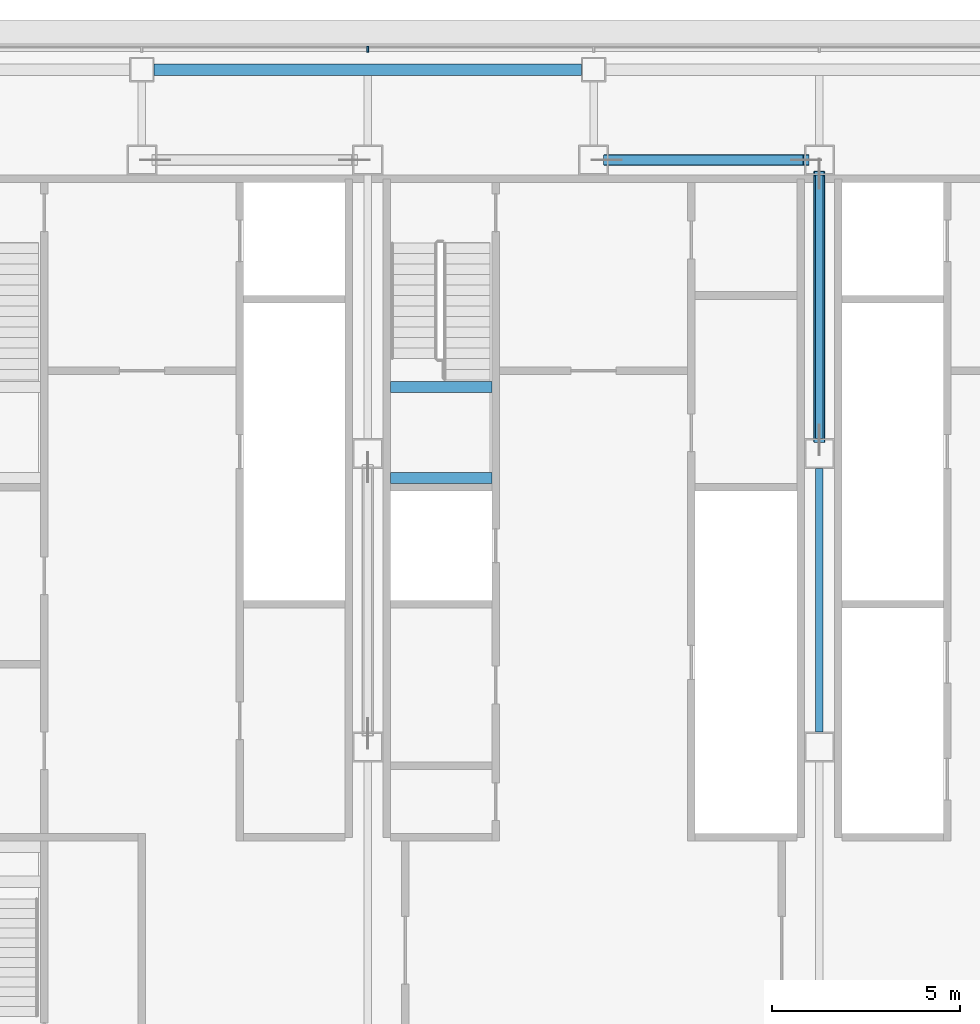
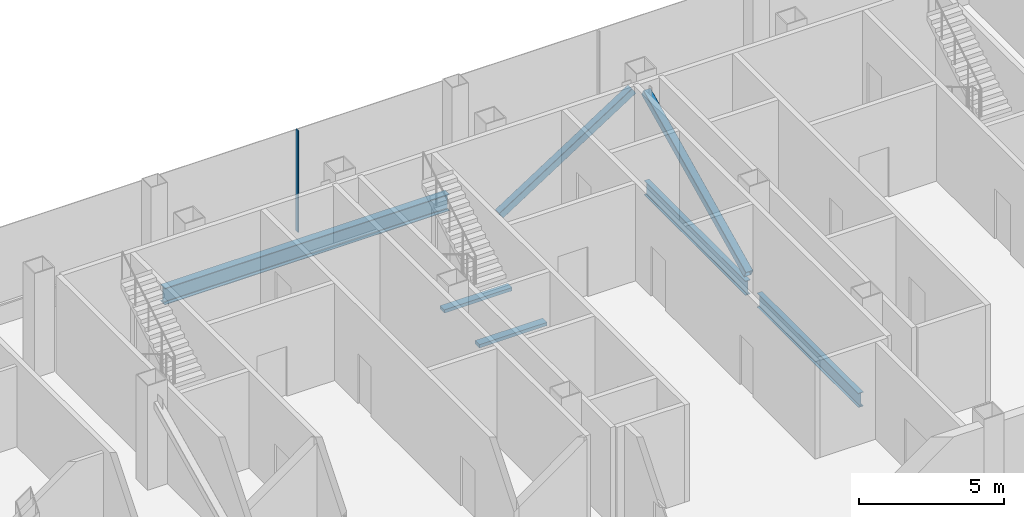
# One storey, part 14 of 30: 5 beams, 3 members, 1 element without a shape of its own.
"""IFC4 building model written with IfcOpenShell, lengths in metres."""

import ifcopenshell
import ifcopenshell.guid

model = None  # the IFC model being written
_history = None  # IfcOwnerHistory: only IFC2X3 demands one
_inside = {}  # id of a spatial element -> (the spatial element, [elements in it])
_under = {}  # id of a project, library or spatial element -> (it, [spatial elements below it])
_declared = {}  # id of a project -> (the project, [libraries it declares])
_typed = {}  # id of a type object -> (the type object, [elements of that type])
_made_of = {}  # id of a material, layer set ... -> (it, [elements and type objects made of it])


def new_model(schema):
    """Start an empty IFC model of exactly this schema.

    Asked for "IFC4X3", IfcOpenShell would pick the latest addendum, in which some entities
    have other attributes; the version numbers below select the first issue.
    IFC2X3 requires an IfcOwnerHistory on every rooted entity: one is made here for all.
    """
    global model, _history
    if schema == "IFC4X3":
        model = ifcopenshell.file(schema_version=(4, 3, 0, 0))
    else:
        model = ifcopenshell.file(schema=schema)
    _inside.clear()
    _under.clear()
    _declared.clear()
    _typed.clear()
    _made_of.clear()
    _history = None
    if model.schema == "IFC2X3":
        org = make("IfcOrganization", Name="unknown")
        user = make(
            "IfcPersonAndOrganization",
            ThePerson=make("IfcPerson", FamilyName="unknown"),
            TheOrganization=org,
        )
        app = make(
            "IfcApplication",
            ApplicationDeveloper=org,
            Version="unknown",
            ApplicationFullName="unknown",
            ApplicationIdentifier="unknown",
        )
        _history = make(
            "IfcOwnerHistory",
            OwningUser=user,
            OwningApplication=app,
            ChangeAction="ADDED",
            CreationDate=0,
        )
    return model


def make(cls, **values):
    """One entity of the class cls with the attributes given. An attribute that is None is left unset."""
    return model.create_entity(
        cls, **{name: value for name, value in values.items() if value is not None}
    )


def rooted(cls, **values):
    """An entity with a GlobalId (a new one), such as an element, a storey or a relation."""
    return make(cls, GlobalId=ifcopenshell.guid.new(), OwnerHistory=_history, **values)


def si_unit(unit_type, name, prefix=None):
    """IfcSIUnit, for example si_unit("LENGTHUNIT", "METRE", prefix="MILLI")."""
    return make("IfcSIUnit", UnitType=unit_type, Prefix=prefix, Name=name)


def assignment(units):
    """IfcUnitAssignment: the units of a project."""
    return None if units is None else make("IfcUnitAssignment", Units=units)


def point(xyz):
    """IfcCartesianPoint."""
    return None if xyz is None else make("IfcCartesianPoint", Coordinates=xyz)


def direction(xyz):
    """IfcDirection."""
    return None if xyz is None else make("IfcDirection", DirectionRatios=xyz)


def frame(location, z_axis=None, x_axis=None):
    """IfcAxis2Placement3D, a coordinate frame: its origin and axes. An axis left out is left unset."""
    return make(
        "IfcAxis2Placement3D",
        Location=point(location),
        Axis=direction(z_axis),
        RefDirection=direction(x_axis),
    )


def frame_2d(location, x_axis=None):
    """IfcAxis2Placement2D, a coordinate frame in the plane: its origin and x axis."""
    return make(
        "IfcAxis2Placement2D", Location=point(location), RefDirection=direction(x_axis)
    )


def origin():
    """The frame at (0, 0, 0) with its axes left unset."""
    return frame((0.0, 0.0, 0.0))


def origin_2d():
    """The frame at (0, 0) in the plane with its x axis left unset."""
    return frame_2d((0.0, 0.0))


def place(relative_to, where):
    """IfcLocalPlacement: puts the frame where relative to a parent placement (None: the world)."""
    return make(
        "IfcLocalPlacement", PlacementRelTo=relative_to, RelativePlacement=where
    )


def context(
    kind, dimensions, precision=None, world=None, true_north=None, identifier=None
):
    """IfcGeometricRepresentationContext, for example the 3D "Model" context."""
    return make(
        "IfcGeometricRepresentationContext",
        ContextIdentifier=identifier,
        ContextType=kind,
        CoordinateSpaceDimension=dimensions,
        Precision=precision,
        WorldCoordinateSystem=world,
        TrueNorth=true_north,
    )


def subcontext(parent, identifier, kind, view, scale=None):
    """IfcGeometricRepresentationSubContext, for example "Body" below "Model"."""
    return make(
        "IfcGeometricRepresentationSubContext",
        ContextIdentifier=identifier,
        ContextType=kind,
        ParentContext=parent,
        TargetScale=scale,
        TargetView=view,
    )


def project(units=None, contexts=None):
    """IfcProject with its units and contexts."""
    return rooted(
        "IfcProject",
        Name="project",
        RepresentationContexts=contexts,
        UnitsInContext=assignment(units),
    )


def spatial(cls, under=None, at=None, **own):
    """A site, building, storey or space (cls), placed at a placement, below another one or the project."""
    s = rooted(cls, ObjectPlacement=at, **own)
    if under is not None:
        _under.setdefault(under.id(), (under, []))[1].append(s)
    return s


def profile(cls, at=None, kind="AREA", **sizes):
    """A parametric profile (cls). Its sizes go by their IFC names, for example OverallWidth=200.0."""
    return make(cls, ProfileType=kind, Position=at, **sizes)


def rectangle(**sizes):
    """IfcRectangleProfileDef."""
    return profile("IfcRectangleProfileDef", **sizes)


def hollow_rectangle(**sizes):
    """IfcRectangleHollowProfileDef."""
    return profile("IfcRectangleHollowProfileDef", **sizes)


def i_section(**sizes):
    """IfcIShapeProfileDef."""
    return profile("IfcIShapeProfileDef", **sizes)


def extrude(swept, where, along, depth):
    """IfcExtrudedAreaSolid: the profile swept, set in the frame where, extruded along a direction by depth."""
    return make(
        "IfcExtrudedAreaSolid",
        SweptArea=swept,
        Position=where,
        ExtrudedDirection=direction(along),
        Depth=depth,
    )


def shape(context_of_items, identifier, shape_type, items):
    """IfcShapeRepresentation: the items that make up one representation, for example the "Body"."""
    return make(
        "IfcShapeRepresentation",
        ContextOfItems=context_of_items,
        RepresentationIdentifier=identifier,
        RepresentationType=shape_type,
        Items=items,
    )


def material(Name=None, Category=None):
    """IfcMaterial."""
    return make("IfcMaterial", Name=Name, Category=Category)


def material_profile(
    of_material, cross_section, Name=None, Category=None, Priority=None
):
    """IfcMaterialProfile: a cross section and its material."""
    return make(
        "IfcMaterialProfile",
        Name=Name,
        Material=of_material,
        Profile=cross_section,
        Priority=Priority,
        Category=Category,
    )


def profile_set(profiles, Name=None, composite=None):
    """IfcMaterialProfileSet."""
    return make(
        "IfcMaterialProfileSet",
        Name=Name,
        MaterialProfiles=profiles,
        CompositeProfile=composite,
    )


def made_of(thing, what):
    """Note that an element or type object is made of a material, layer set ...; save() writes the relation."""
    if what is not None:
        _made_of.setdefault(what.id(), (what, []))[1].append(thing)
    return thing


def type_object(cls, material=None, **own):
    """A type object (cls), such as IfcWallType, which elements share."""
    return made_of(rooted(cls, **own), material)


def element(
    cls,
    number,
    at=None,
    inside=None,
    cuts=None,
    type_object=None,
    material=None,
    context=None,
    identifier="Body",
    shape_type=None,
    held_by="IfcProductDefinitionShape",
    body=None,
    shapes=None,
    **own,
):
    """One element of the class cls, such as IfcWall. Its Tag is "e" and its number.

    at: its placement. inside: the storey or other place that contains it. cuts: it is an
    opening in that element (IfcRelVoidsElement). A single representation is given by context,
    identifier, shape_type and body (its items); several are given by shapes. held_by: the class
    of the entity that holds the representations. save() writes the other relations.
    """
    e = rooted(cls, Tag="e%d" % number, ObjectPlacement=at, **own)
    if body is not None:
        shapes = [shape(context, identifier, shape_type, body)]
    if shapes is not None:
        e.Representation = make(held_by, Representations=shapes)
    if inside is not None:
        _inside.setdefault(inside.id(), (inside, []))[1].append(e)
    if cuts is not None:
        rooted(
            "IfcRelVoidsElement", RelatingBuildingElement=cuts, RelatedOpeningElement=e
        )
    if type_object is not None:
        _typed.setdefault(type_object.id(), (type_object, []))[1].append(e)
    return made_of(e, material)


def aggregate(whole, parts):
    """IfcRelAggregates: a whole, such as a stair, and the parts it consists of."""
    return rooted("IfcRelAggregates", RelatingObject=whole, RelatedObjects=parts)


def save(model, path):
    """Write the relations noted so far, then the file.

    IfcRelAggregates (storeys below a building ...), IfcRelContainedInSpatialStructure (elements
    in a storey), IfcRelDefinesByType, IfcRelAssociatesMaterial and IfcRelDeclares: one each for
    every whole, place, type object, material and project.
    """
    for whole, parts in _under.values():
        aggregate(whole, parts)
    for where, things in _inside.values():
        rooted(
            "IfcRelContainedInSpatialStructure",
            RelatedElements=things,
            RelatingStructure=where,
        )
    for kind, things in _typed.values():
        rooted("IfcRelDefinesByType", RelatedObjects=things, RelatingType=kind)
    for what, things in _made_of.values():
        rooted("IfcRelAssociatesMaterial", RelatedObjects=things, RelatingMaterial=what)
    for by, libraries in _declared.values():
        rooted("IfcRelDeclares", RelatingContext=by, RelatedDefinitions=libraries)
    model.write(path)


model = new_model("IFC4")

# Units and contexts
model_context = context("Model", 3, precision=1e-05, world=origin(), true_north=direction((0.0, 1.0)))
body_context = subcontext(model_context, "Body", "Model", "MODEL_VIEW")
ifc_project = project(units=[si_unit("LENGTHUNIT", "METRE"), si_unit("AREAUNIT", "SQUARE_METRE"), si_unit("VOLUMEUNIT", "CUBIC_METRE"), si_unit("PLANEANGLEUNIT", "RADIAN"), si_unit("MASSUNIT", "GRAM", prefix="KILO")], contexts=[model_context])

# Site, building, storey
site_placement = place(None, origin())
site = spatial("IfcSite", under=ifc_project, at=site_placement, CompositionType="ELEMENT")
building_placement = place(site_placement, origin())
building = spatial("IfcBuilding", under=site, at=building_placement, Name="Sorahane Residences", CompositionType="ELEMENT")
storey_placement = place(building_placement, frame((0.0, 0.0, 229.800048828125)))
storey = spatial("IfcBuildingStorey", under=building, at=storey_placement, Name="L54", CompositionType="ELEMENT", Elevation=229.800048828125)

# Members
ifc_material_1 = material(Name="Steel Q355B", Category="steel")
ifc_material_profile_1 = material_profile(ifc_material_1, hollow_rectangle(XDim=0.300048828125, YDim=0.300048828125, WallThickness=0.01611328125, InnerFilletRadius=0.008056640625, OuterFilletRadius=0.02392578125, at=origin_2d()), Name="RHS 300x300x16")
ifc_profile_set_1 = profile_set([ifc_material_profile_1], Name="Steel Q355B")
member_type_1 = type_object("IfcMemberType", Name="Core brace RHS 300x300x16 Q355B", PredefinedType="BRACE", material=ifc_profile_set_1)
member_1_placement = place(storey_placement, frame((24.351318359375, 45.60009765625, 0.11865234375), z_axis=(0.840661975087, 0.0, 0.541560193924), x_axis=(0.0, 1.0, 0.0)))
element("IfcMember", 1, at=member_1_placement, inside=storey, type_object=member_type_1, Name="Core brace L54 y45.6-4", PredefinedType="BRACE", context=body_context, shape_type="SweptSolid", body=[
    extrude(hollow_rectangle(XDim=0.300048828125, YDim=0.300048828125, WallThickness=0.01611328125, InnerFilletRadius=0.008056640625, OuterFilletRadius=0.02392578125, at=origin_2d()), origin(), (0.0, 0.0, 1.0), 6.301513671875),
])
member_2_placement = place(storey_placement, frame((30.0, 38.1611328125, 0.13134765625), z_axis=(0.0, 0.902022560554, 0.431688892898), x_axis=(-1.0, 0.0, 0.0)))
element("IfcMember", 2, at=member_2_placement, inside=storey, type_object=member_type_1, Name="Core brace L54 x30-2", PredefinedType="BRACE", context=body_context, shape_type="SweptSolid", body=[
    extrude(hollow_rectangle(XDim=0.300048828125, YDim=0.300048828125, WallThickness=0.01611328125, InnerFilletRadius=0.008056640625, OuterFilletRadius=0.02392578125, at=origin_2d()), origin(), (0.0, 0.0, 1.0), 7.846435546875),
])

# Curtain wall, member
ifc_material_2 = material(Name="Dark low-e glass and black anodised aluminium", Category="aluminium")
curtain_wall_type = type_object("IfcCurtainWallType", Name="Curtain wall CW-1 Typical unitised wall", PredefinedType="NOTDEFINED", material=ifc_material_2)
curtain_wall_placement = place(storey_placement, origin())
curtain_wall = element("IfcCurtainWall", 3, at=curtain_wall_placement, inside=storey, type_object=curtain_wall_type, Name="CW-1 curtain wall L54 N2", PredefinedType="NOTDEFINED")
ifc_material_3 = material(Name="Black anodised aluminium", Category="aluminium")
ifc_material_profile_2 = material_profile(ifc_material_3, rectangle(XDim=0.159912109375, YDim=0.050048828125, at=origin_2d()), Name="Curtain wall mullion CW-1 black anodised aluminium 50x160")
ifc_profile_set_2 = profile_set([ifc_material_profile_2], Name="Black anodised aluminium")
member_type_2 = type_object("IfcMemberType", Name="Curtain wall mullion CW-1 black anodised aluminium 50x160", PredefinedType="MULLION", material=ifc_profile_set_2)
member_3_placement = place(storey_placement, frame((18.0, 48.5400390625, -0.179931640625), z_axis=(0.0, 0.0, 1.0), x_axis=(0.0, 1.0, 0.0)))
member_3 = element("IfcMember", 4, at=member_3_placement, type_object=member_type_2, Name="CW-1 mullion L54 N2.6", PredefinedType="MULLION", context=body_context, shape_type="SweptSolid", body=[
    extrude(rectangle(XDim=0.159912109375, YDim=0.050048828125, at=origin_2d()), origin(), (0.0, 0.0, 1.0), 4.27978515625),
])
aggregate(curtain_wall, [member_3])

# Beams
ifc_material_4 = material(Name="Concrete C40", Category="concrete")
ifc_material_profile_3 = material_profile(ifc_material_4, rectangle(XDim=0.300048828125, YDim=0.139892578125, at=origin_2d()), Name="300x140")
ifc_profile_set_3 = profile_set([ifc_material_profile_3], Name="Concrete C40")
beam_type_1 = type_object("IfcBeamType", Name="RC landing beam 300 x 140 Concrete C40", PredefinedType="BEAM", material=ifc_profile_set_3)
for number, where, z_axis, x_axis, name in (
    (5, (18.60009765625, 37.14990234375, 1.7607421875), (1.0, 0.0, 0.0), (0.0, 1.0, 0.0), "Landing beam"),
    (6, (18.60009765625, 39.570068359375, 1.7607421875), (1.0, 0.0, 0.0), (0.0, 1.0, 0.0), "Landing beam"),
):
    element("IfcBeam", number, at=place(storey_placement, frame(where, z_axis=z_axis, x_axis=x_axis)), inside=storey, type_object=beam_type_1, Name=name, PredefinedType="BEAM", context=body_context, shape_type="SweptSolid", body=[
        extrude(rectangle(XDim=0.300048828125, YDim=0.139892578125, at=origin_2d()), origin(), (0.0, 0.0, 1.0), 2.699951171875),
    ])
ifc_material_5 = material(Name="Steel Q355B", Category="steel")
ifc_material_profile_4 = material_profile(ifc_material_5, i_section(OverallWidth=0.199951171875, OverallDepth=0.60009765625, WebThickness=0.010986328125, FlangeThickness=0.01708984375, FilletRadius=0.02392578125, at=origin_2d()), Name="HN 600x200x11x17")
ifc_profile_set_4 = profile_set([ifc_material_profile_4], Name="Steel Q355B")
beam_type_2 = type_object("IfcBeamType", Name="Steel floor beam HN 600x200x11x17 Q355B", PredefinedType="BEAM", material=ifc_profile_set_4)
for number, where, z_axis, x_axis, name in (
    (7, (30.0, 30.39990234375, -0.47998046875), (0.0, 1.0, 0.0), (-1.0, 0.0, 0.0), "Beam L54 047"),
    (8, (30.0, 38.199951171875, -0.47998046875), (0.0, 1.0, 0.0), (-1.0, 0.0, 0.0), "Beam L54 048"),
):
    element("IfcBeam", number, at=place(storey_placement, frame(where, z_axis=z_axis, x_axis=x_axis)), inside=storey, type_object=beam_type_2, Name=name, PredefinedType="BEAM", context=body_context, shape_type="SweptSolid", body=[
        extrude(i_section(OverallWidth=0.199951171875, OverallDepth=0.60009765625, WebThickness=0.010986328125, FlangeThickness=0.01708984375, FilletRadius=0.02392578125, at=origin_2d()), origin(), (0.0, 0.0, 1.0), 7.0),
    ])
ifc_material_6 = material(Name="Steel Q355B", Category="steel")
ifc_material_profile_5 = material_profile(ifc_material_6, i_section(OverallWidth=0.300048828125, OverallDepth=0.699951171875, WebThickness=0.012939453125, FlangeThickness=0.02392578125, FilletRadius=0.028076171875, at=origin_2d()), Name="HN 700x300x13x24")
ifc_profile_set_5 = profile_set([ifc_material_profile_5], Name="Steel Q355B")
beam_type_3 = type_object("IfcBeamType", Name="Steel floor beam HN 700x300x13x24 Q355B", PredefinedType="BEAM", material=ifc_profile_set_5)
beam_placement = place(storey_placement, frame((12.324951171875, 48.0, -0.530029296875), z_axis=(1.0, 0.0, 0.0), x_axis=(0.0, 1.0, 0.0)))
element("IfcBeam", 9, at=beam_placement, inside=storey, type_object=beam_type_3, Name="Beam L54 017", PredefinedType="BEAM", context=body_context, shape_type="SweptSolid", body=[
    extrude(i_section(OverallWidth=0.300048828125, OverallDepth=0.699951171875, WebThickness=0.012939453125, FlangeThickness=0.02392578125, FilletRadius=0.028076171875, at=origin_2d()), origin(), (0.0, 0.0, 1.0), 11.35009765625),
])

save(model, "model.ifc")
